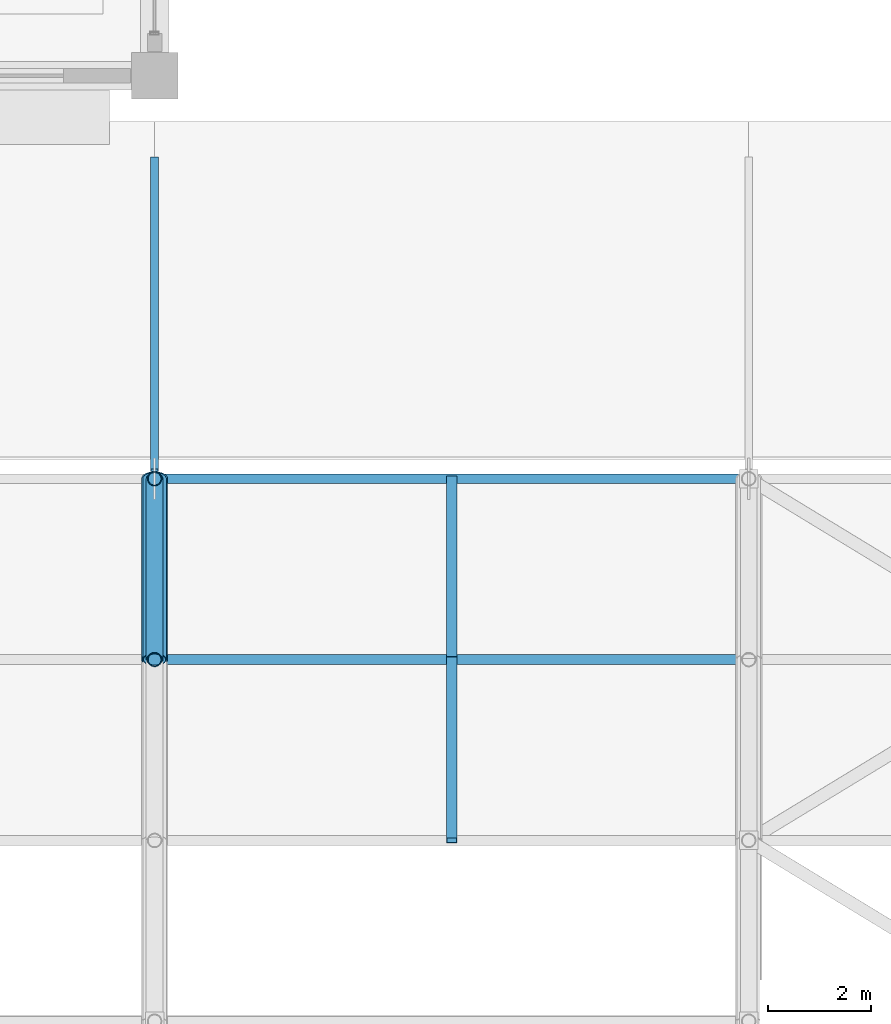
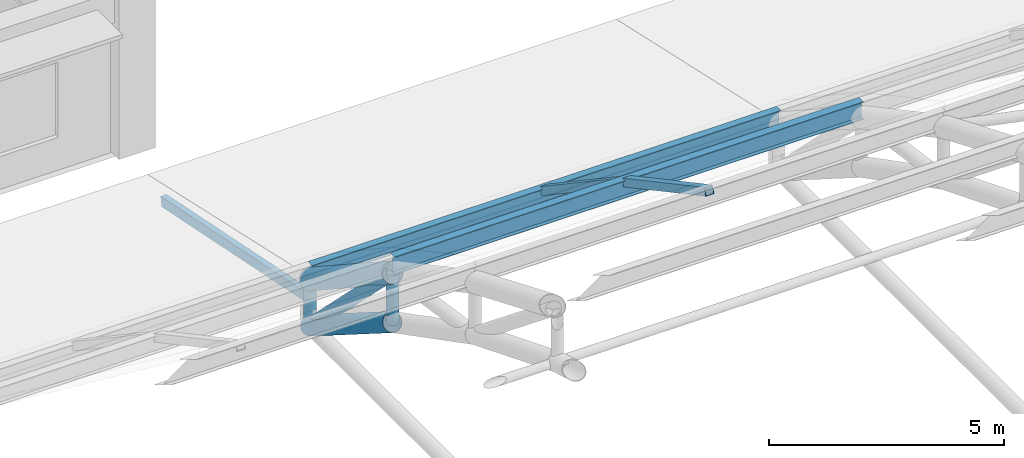
# One storey, part 76 of 154: 10 members.
"""IFC4 building model written with IfcOpenShell, lengths in metres."""

from ifc_helpers import new_model, si_unit, direction, frame, origin, origin_2d, place, context, subcontext, project, spatial, hollow_rectangle, hollow_circle, i_section, extrude, material, material_profile, profile_set, type_object, element, save


model = new_model("IFC4")

# Units and contexts
model_context = context("Model", 3, precision=1e-05, world=origin(), true_north=direction((0.0, 1.0)))
body_context = subcontext(model_context, "Body", "Model", "MODEL_VIEW")
ifc_project = project(units=[si_unit("LENGTHUNIT", "METRE"), si_unit("AREAUNIT", "SQUARE_METRE"), si_unit("VOLUMEUNIT", "CUBIC_METRE"), si_unit("PLANEANGLEUNIT", "RADIAN"), si_unit("MASSUNIT", "GRAM", prefix="KILO")], contexts=[model_context])

# Site, building, storey
site_placement = place(None, origin())
site = spatial("IfcSite", under=ifc_project, at=site_placement, CompositionType="ELEMENT")
building_placement = place(site_placement, origin())
building = spatial("IfcBuilding", under=site, at=building_placement, Name="Ologun Quay Terminus", CompositionType="ELEMENT")
storey_placement = place(building_placement, frame((0.0, 0.0, 13.800048828125)))
storey = spatial("IfcBuildingStorey", under=building, at=storey_placement, Name="L03", CompositionType="ELEMENT", Elevation=13.800048828125)

# Members
ifc_material_1 = material(Name="Steel S355", Category="steel")
ifc_material_profile_1 = material_profile(ifc_material_1, hollow_circle(Radius=0.136474609375, WallThickness=0.010009765625, at=origin_2d()), Name="CHS 273x10")
ifc_profile_set_1 = profile_set([ifc_material_profile_1], Name="Steel S355")
member_type_1 = type_object("IfcMemberType", Name="Arch Truss Vertical Post CHS273", PredefinedType="STRUT", material=ifc_profile_set_1)
member_1_placement = place(storey_placement, frame((69.0, 74.5, 2.212158203125), z_axis=(0.0, 0.0, 1.0), x_axis=(1.0, 0.0, 0.0)))
element("IfcMember", 1, at=member_1_placement, inside=storey, type_object=member_type_1, Name="AW2 Arch Web Post 7-N11", PredefinedType="STRUT", context=body_context, shape_type="SweptSolid", body=[
    extrude(hollow_circle(Radius=0.136474609375, WallThickness=0.010009765625, at=origin_2d()), origin(), (0.0, 0.0, 1.0), 1.28564453125),
])
member_2_placement = place(storey_placement, frame((69.0, 78.0, 0.0), z_axis=(0.0, 0.0, 1.0), x_axis=(1.0, 0.0, 0.0)))
element("IfcMember", 2, at=member_2_placement, inside=storey, type_object=member_type_1, Name="AW2 Arch Web Post 7-N12", PredefinedType="STRUT", context=body_context, shape_type="SweptSolid", body=[
    extrude(hollow_circle(Radius=0.136474609375, WallThickness=0.010009765625, at=origin_2d()), origin(), (0.0, 0.0, 1.0), 1.199951171875),
])
ifc_material_2 = material(Name="Steel S355", Category="steel")
ifc_material_profile_2 = material_profile(ifc_material_2, hollow_circle(Radius=0.161865234375, WallThickness=0.010009765625, at=origin_2d()), Name="CHS 323.9x10")
ifc_profile_set_2 = profile_set([ifc_material_profile_2], Name="Steel S355")
member_type_2 = type_object("IfcMemberType", Name="Arch Truss Web Diagonal CHS323", PredefinedType="BRACE", material=ifc_profile_set_2)
member_3_placement = place(storey_placement, frame((69.0, 74.5, 3.497802734375), z_axis=(0.0, 0.707328773357, -0.706884719301), x_axis=(-1.0, 0.0, 0.0)))
element("IfcMember", 3, at=member_3_placement, inside=storey, type_object=member_type_2, Name="AW1 Arch Web Diagonal 7-P12", PredefinedType="BRACE", context=body_context, shape_type="SweptSolid", body=[
    extrude(hollow_circle(Radius=0.161865234375, WallThickness=0.010009765625, at=origin_2d()), origin(), (0.0, 0.0, 1.0), 4.9482421875),
])
ifc_material_3 = material(Name="Steel S355", Category="steel")
ifc_material_profile_3 = material_profile(ifc_material_3, hollow_circle(Radius=0.228515625, WallThickness=0.01611328125, at=origin_2d()), Name="CHS 457x16")
ifc_profile_set_3 = profile_set([ifc_material_profile_3], Name="Steel S355")
member_type_3 = type_object("IfcMemberType", Name="Parabolic Arch Bottom Chord CHS457", PredefinedType="CHORD", material=ifc_profile_set_3)
member_4_placement = place(storey_placement, frame((69.0, 74.5, 2.212158203125), z_axis=(0.0, 0.845310912611, -0.534274705578), x_axis=(-1.0, 0.0, 0.0)))
element("IfcMember", 4, at=member_4_placement, inside=storey, type_object=member_type_3, Name="AC2 Arch Bottom Chord 7-P12", PredefinedType="CHORD", context=body_context, shape_type="SweptSolid", body=[
    extrude(hollow_circle(Radius=0.228515625, WallThickness=0.01611328125, at=origin_2d()), origin(), (0.0, 0.0, 1.0), 4.140380859375),
])
ifc_material_4 = material(Name="Steel S355", Category="steel")
ifc_material_profile_4 = material_profile(ifc_material_4, hollow_circle(Radius=0.25390625, WallThickness=0.01611328125, at=origin_2d()), Name="CHS 508x16")
ifc_profile_set_4 = profile_set([ifc_material_profile_4], Name="Steel S355")
member_type_4 = type_object("IfcMemberType", Name="Parabolic Arch Top Chord CHS508", PredefinedType="CHORD", material=ifc_profile_set_4)
member_5_placement = place(storey_placement, frame((69.0, 74.5, 3.497802734375), z_axis=(0.0, 0.835940905918, -0.548819461949), x_axis=(-1.0, 0.0, 0.0)))
element("IfcMember", 5, at=member_5_placement, inside=storey, type_object=member_type_4, Name="Arch Top Chord 7-P12", PredefinedType="CHORD", context=body_context, shape_type="SweptSolid", body=[
    extrude(hollow_circle(Radius=0.25390625, WallThickness=0.01611328125, at=origin_2d()), origin(), (0.0, 0.0, 1.0), 4.18701171875),
])
ifc_material_5 = material(Name="Steel S355", Category="steel")
ifc_material_profile_5 = material_profile(ifc_material_5, hollow_rectangle(XDim=0.199951171875, YDim=0.199951171875, WallThickness=0.008056640625, at=origin_2d()), Name="SHS 200x200x8")
ifc_profile_set_5 = profile_set([ifc_material_profile_5], Name="Steel S355")
member_type_5 = type_object("IfcMemberType", Name="Skylight Cross Transom Bar RHS150", PredefinedType="STRUT", material=ifc_profile_set_5)
member_6_placement = place(storey_placement, frame((74.75, 71.0, 5.731689453125), z_axis=(0.0, 0.880967864924, -0.473176099324), x_axis=(-1.0, 0.0, 0.0)))
element("IfcMember", 6, at=member_6_placement, inside=storey, type_object=member_type_5, Name="SK2 Eave Secondary Rafter B7-P11", PredefinedType="STRUT", context=body_context, shape_type="SweptSolid", body=[
    extrude(hollow_rectangle(XDim=0.199951171875, YDim=0.199951171875, WallThickness=0.008056640625, at=origin_2d()), origin(), (0.0, 0.0, 1.0), 3.972900390625),
])
member_7_placement = place(storey_placement, frame((74.75, 74.5, 3.851806640625), z_axis=(0.0, 0.830398014247, -0.55717065423), x_axis=(-1.0, 0.0, 0.0)))
element("IfcMember", 7, at=member_7_placement, inside=storey, type_object=member_type_5, Name="SK2 Eave Secondary Rafter B7-P12", PredefinedType="STRUT", context=body_context, shape_type="SweptSolid", body=[
    extrude(hollow_rectangle(XDim=0.199951171875, YDim=0.199951171875, WallThickness=0.008056640625, at=origin_2d()), origin(), (0.0, 0.0, 1.0), 4.21484375),
])
ifc_material_6 = material(Name="Steel S355", Category="steel")
ifc_material_profile_6 = material_profile(ifc_material_6, hollow_rectangle(XDim=0.14990234375, YDim=0.25, WallThickness=0.008056640625, at=origin_2d()), Name="RHS 250x150x8")
ifc_profile_set_6 = profile_set([ifc_material_profile_6], Name="Steel S355")
member_type_6 = type_object("IfcMemberType", Name="Skylight Longitudinal Glazing Bar RHS200", PredefinedType="PURLIN", material=ifc_profile_set_6)
member_8_placement = place(storey_placement, frame((69.0, 84.199951171875, -0.520263671875), z_axis=(0.0, -0.98005285553, 0.19873701308), x_axis=(1.0, 0.0, 0.0)))
element("IfcMember", 8, at=member_8_placement, inside=storey, type_object=member_type_6, Name="SK1 Inclined Roof Rafter L03-NGAL-7", PredefinedType="PURLIN", context=body_context, shape_type="SweptSolid", body=[
    extrude(hollow_rectangle(XDim=0.14990234375, YDim=0.25, WallThickness=0.008056640625, at=origin_2d()), origin(), (0.0, 0.0, 1.0), 6.16064453125),
])
ifc_material_7 = material(Name="Steel S355", Category="steel")
ifc_material_profile_7 = material_profile(ifc_material_7, i_section(OverallWidth=0.177978515625, OverallDepth=0.406494140625, WebThickness=0.0078125, FlangeThickness=0.0126953125, at=origin_2d()), Name="UKB 406x178x60")
ifc_profile_set_7 = profile_set([ifc_material_profile_7], Name="Steel S355")
member_type_7 = type_object("IfcMemberType", Name="Train Shed Eave & Ridge Purlin UKB406", PredefinedType="PURLIN", material=ifc_profile_set_7)
member_9_placement = place(storey_placement, frame((69.0, 78.0, 1.403076171875), z_axis=(1.0, 0.0, 0.0), x_axis=(0.0, 1.0, 0.0)))
element("IfcMember", 9, at=member_9_placement, inside=storey, type_object=member_type_7, Name="PR2 Roof Purlin B7-N12", PredefinedType="PURLIN", context=body_context, shape_type="SweptSolid", body=[
    extrude(i_section(OverallWidth=0.177978515625, OverallDepth=0.406494140625, WebThickness=0.0078125, FlangeThickness=0.0126953125, at=origin_2d()), origin(), (0.0, 0.0, 1.0), 11.5),
])
ifc_material_8 = material(Name="Steel S355", Category="steel")
ifc_material_profile_8 = material_profile(ifc_material_8, i_section(OverallWidth=0.1904296875, OverallDepth=0.45703125, WebThickness=0.009033203125, FlangeThickness=0.014404296875, at=origin_2d()), Name="UKB 457x191x74")
ifc_profile_set_8 = profile_set([ifc_material_profile_8], Name="Steel S355")
member_type_8 = type_object("IfcMemberType", Name="Train Shed Primary Roof Purlin UKB457", PredefinedType="PURLIN", material=ifc_profile_set_8)
member_10_placement = place(storey_placement, frame((69.0, 74.5, 3.726318359375), z_axis=(1.0, 0.0, 0.0), x_axis=(0.0, 1.0, 0.0)))
element("IfcMember", 10, at=member_10_placement, inside=storey, type_object=member_type_8, Name="PR1 Roof Purlin B7-N11", PredefinedType="PURLIN", context=body_context, shape_type="SweptSolid", body=[
    extrude(i_section(OverallWidth=0.1904296875, OverallDepth=0.45703125, WebThickness=0.009033203125, FlangeThickness=0.014404296875, at=origin_2d()), origin(), (0.0, 0.0, 1.0), 11.5),
])

save(model, "model.ifc")
